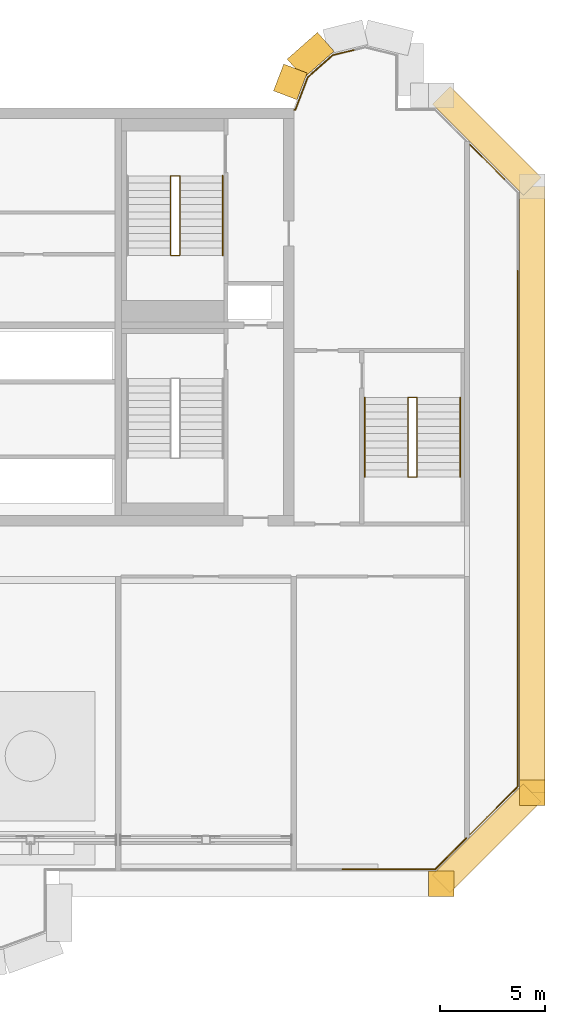
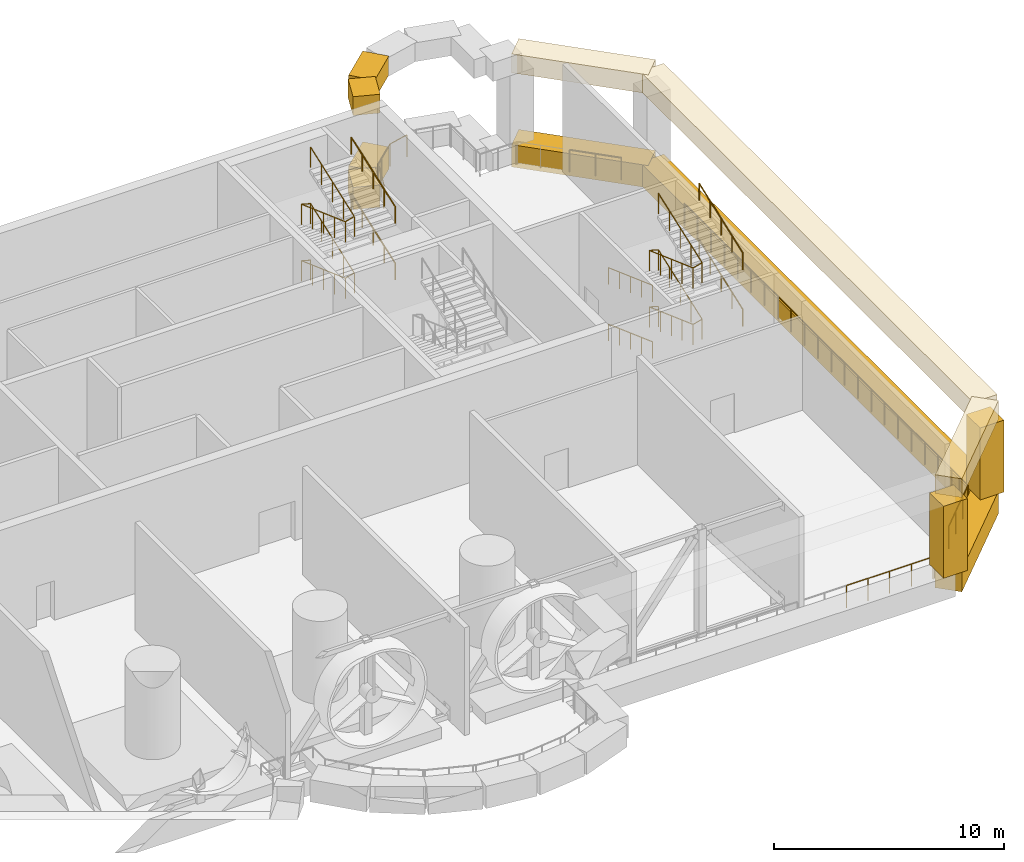
# One storey, part 12 of 15: 26 railings, 12 coverings.
"""IFC4 building model written with IfcOpenShell, lengths in metres."""

from ifc_helpers import new_model, si_unit, direction, frame, origin, origin_2d, place, context, subcontext, project, spatial, rectangle, circle, extrude, source, transform, mapped, material, type_object, element, save


model = new_model("IFC4")

# Units and contexts
model_context = context("Model", 3, precision=1e-05, world=origin(), true_north=direction((0.0, 1.0)))
body_context = subcontext(model_context, "Body", "Model", "MODEL_VIEW")
ifc_project = project(units=[si_unit("LENGTHUNIT", "METRE"), si_unit("AREAUNIT", "SQUARE_METRE"), si_unit("VOLUMEUNIT", "CUBIC_METRE"), si_unit("PLANEANGLEUNIT", "RADIAN"), si_unit("MASSUNIT", "GRAM", prefix="KILO")], contexts=[model_context])

# Site, building, storey
site_placement = place(None, origin())
site = spatial("IfcSite", under=ifc_project, at=site_placement, CompositionType="ELEMENT")
building_placement = place(site_placement, origin())
building = spatial("IfcBuilding", under=site, at=building_placement, Name="Vanashikhar Sky Hotel", CompositionType="ELEMENT")
storey_placement = place(building_placement, frame((0.0, 0.0, 317.699951171875)))
storey = spatial("IfcBuildingStorey", under=building, at=storey_placement, Name="L76", CompositionType="ELEMENT", Elevation=317.699951171875)

# Coverings
ifc_material_1 = material(Name="Concrete M60 dark", Category="concrete")
covering_type = type_object("IfcCoveringType", Name="Turbine slot portal frame", PredefinedType="CLADDING", material=ifc_material_1)
shared_shape_1 = source(origin(), body_context, "Body", "SweptSolid", [
    extrude(rectangle(XDim=6.154052734375, YDim=1.199951171875, at=origin_2d()), origin(), (0.0, 0.0, 1.0), 1.0),
])
for number, where, z_axis, x_axis, name in (
    (1, (84.82421875, 7.07568359375, 4.719970703125), (0.0, 0.0, 1.0), (0.707106781187, 0.707106781187, 0.0), "Portal frame head"),
    (2, (84.82421875, 40.42431640625, 4.719970703125), (0.0, 0.0, 1.0), (-0.707106781187, 0.707106781187, 0.0), "Portal frame head"),
):
    element("IfcCovering", number, at=place(storey_placement, frame(where, z_axis=z_axis, x_axis=x_axis)), inside=storey, type_object=covering_type, Name=name, PredefinedType="CLADDING", context=body_context, shape_type="MappedRepresentation", body=[
        mapped(shared_shape_1, transform((0.0, 0.0, 0.0), scale=1.0)),
    ])
shared_shape_2 = source(origin(), body_context, "Body", "SweptSolid", [
    extrude(rectangle(XDim=28.9970703125, YDim=1.199951171875, at=origin_2d()), origin(), (0.0, 0.0, 1.0), 1.0),
])
covering_1_placement = place(storey_placement, frame((87.0, 23.75, 4.719970703125), z_axis=(0.0, 0.0, 1.0), x_axis=(0.0, 1.0, 0.0)))
element("IfcCovering", 3, at=covering_1_placement, inside=storey, type_object=covering_type, Name="Portal frame head", PredefinedType="CLADDING", context=body_context, shape_type="MappedRepresentation", body=[
    mapped(shared_shape_2, transform((0.0, 0.0, 0.0), scale=1.0)),
])
shared_shape_3 = source(origin(), body_context, "Body", "SweptSolid", [
    extrude(rectangle(XDim=1.931640625, YDim=1.199951171875, at=origin_2d()), origin(), (0.0, 0.0, 1.0), 1.0),
])
covering_2_placement = place(storey_placement, frame((76.401611328125, 44.518310546875, 4.719970703125), z_axis=(0.0, 0.0, 1.0), x_axis=(-0.749741606437, -0.661730703214, 0.0)))
element("IfcCovering", 4, at=covering_2_placement, inside=storey, type_object=covering_type, Name="Portal frame head", PredefinedType="CLADDING", context=body_context, shape_type="MappedRepresentation", body=[
    mapped(shared_shape_3, transform((0.0, 0.0, 0.0), scale=1.0)),
])
shared_shape_4 = source(origin(), body_context, "Body", "SweptSolid", [
    extrude(rectangle(XDim=1.931640625, YDim=1.199951171875, at=origin_2d()), origin(), (0.0, 0.0, 1.0), 1.179931640625),
])
covering_3_placement = place(storey_placement, frame((76.401611328125, 44.518310546875, -0.27978515625), z_axis=(0.0, 0.0, 1.0), x_axis=(-0.749741606437, -0.661730703214, 0.0)))
element("IfcCovering", 5, at=covering_3_placement, inside=storey, type_object=covering_type, Name="Portal frame sill", PredefinedType="CLADDING", context=body_context, shape_type="MappedRepresentation", body=[
    mapped(shared_shape_4, transform((0.0, 0.0, 0.0), scale=1.0)),
])
shared_shape_5 = source(origin(), body_context, "Body", "SweptSolid", [
    extrude(rectangle(XDim=1.3701171875, YDim=1.199951171875, at=origin_2d()), origin(), (0.0, 0.0, 1.0), 1.0),
])
covering_4_placement = place(storey_placement, frame((75.432373046875, 43.239501953125, 4.719970703125), z_axis=(0.0, 0.0, 1.0), x_axis=(-0.357748696787, -0.933817899779, 0.0)))
element("IfcCovering", 6, at=covering_4_placement, inside=storey, type_object=covering_type, Name="Portal frame head", PredefinedType="CLADDING", context=body_context, shape_type="MappedRepresentation", body=[
    mapped(shared_shape_5, transform((0.0, 0.0, 0.0), scale=1.0)),
])
shared_shape_6 = source(origin(), body_context, "Body", "SweptSolid", [
    extrude(rectangle(XDim=1.3701171875, YDim=1.199951171875, at=origin_2d()), origin(), (0.0, 0.0, 1.0), 1.179931640625),
])
covering_5_placement = place(storey_placement, frame((75.432373046875, 43.239501953125, -0.27978515625), z_axis=(0.0, 0.0, 1.0), x_axis=(-0.357748696787, -0.933817899779, 0.0)))
element("IfcCovering", 7, at=covering_5_placement, inside=storey, type_object=covering_type, Name="Portal frame sill", PredefinedType="CLADDING", context=body_context, shape_type="MappedRepresentation", body=[
    mapped(shared_shape_6, transform((0.0, 0.0, 0.0), scale=1.0)),
])

# Railings
ifc_material_2 = material(Name="Stainless steel 316", Category="steel")
railing_type_1 = type_object("IfcRailingType", Name="Open edge guard 1200", PredefinedType="GUARDRAIL", material=ifc_material_2)
shared_shape_7 = source(origin(), body_context, "Body", "SweptSolid", [
    extrude(circle(Radius=0.02392578125, at=origin_2d()), frame((0.0, 0.0, 1.17578125), z_axis=(-1.0, 0.0, 0.0), x_axis=(0.0, -1.0, 0.0)), (0.0, 0.0, 1.0), 2.176513671875),
    extrude(circle(Radius=0.02099609375, at=origin_2d()), origin(), (0.0, 0.0, 1.0), 1.15185546875),
    extrude(circle(Radius=0.02099609375, at=origin_2d()), frame((-1.08837890625, 0.0, 0.0)), (0.0, 0.0, 1.0), 1.15185546875),
    extrude(circle(Radius=0.02099609375, at=origin_2d()), frame((-2.176513671875, 0.0, 0.0)), (0.0, 0.0, 1.0), 1.15185546875),
])
railing_1_placement = place(storey_placement, frame((82.27490234375, 5.60009765625, 0.0)))
element("IfcRailing", 8, at=railing_1_placement, inside=storey, type_object=railing_type_1, Name="Open edge guard", PredefinedType="GUARDRAIL", context=body_context, shape_type="MappedRepresentation", body=[
    mapped(shared_shape_7, transform((0.0, 0.0, 0.0), scale=1.0)),
])
shared_shape_8 = source(origin(), body_context, "Body", "SweptSolid", [
    extrude(circle(Radius=0.02392578125, at=origin_2d()), frame((0.0, 0.0, 1.17578125), z_axis=(-1.0, 0.0, 0.0), x_axis=(0.0, -1.0, 0.0)), (0.0, 0.0, 1.0), 2.1767578125),
    extrude(circle(Radius=0.02099609375, at=origin_2d()), origin(), (0.0, 0.0, 1.0), 1.15185546875),
    extrude(circle(Radius=0.02099609375, at=origin_2d()), frame((-1.08837890625, 0.0, 0.0)), (0.0, 0.0, 1.0), 1.15185546875),
    extrude(circle(Radius=0.02099609375, at=origin_2d()), frame((-2.1767578125, 0.0, 0.0)), (0.0, 0.0, 1.0), 1.15185546875),
])
railing_2_placement = place(storey_placement, frame((80.098388671875, 5.60009765625, 0.0)))
element("IfcRailing", 9, at=railing_2_placement, inside=storey, type_object=railing_type_1, Name="Open edge guard", PredefinedType="GUARDRAIL", context=body_context, shape_type="MappedRepresentation", body=[
    mapped(shared_shape_8, transform((0.0, 0.0, 0.0), scale=1.0)),
])
shared_shape_9 = source(origin(), body_context, "Body", "SweptSolid", [
    extrude(circle(Radius=0.02392578125, at=origin_2d()), frame((0.0, 0.0, 1.17578125), z_axis=(-0.707106781187, -0.707106781187, 0.0), x_axis=(0.707106781187, -0.707106781187, 0.0)), (0.0, 0.0, 1.0), 2.093017578125),
    extrude(circle(Radius=0.02392578125, at=origin_2d()), frame((-1.47998046875, -1.47998046875, 1.17578125), z_axis=(-1.0, 0.0, 0.0), x_axis=(0.0, -1.0, 0.0)), (0.0, 0.0, 1.0), 0.083740234375),
    extrude(circle(Radius=0.02099609375, at=origin_2d()), origin(), (0.0, 0.0, 1.0), 1.15185546875),
    extrude(circle(Radius=0.02099609375, at=origin_2d()), frame((-0.739990234375, -0.739990234375, 0.0)), (0.0, 0.0, 1.0), 1.15185546875),
    extrude(circle(Radius=0.02099609375, at=origin_2d()), frame((-1.47998046875, -1.47998046875, 0.0)), (0.0, 0.0, 1.0), 1.15185546875),
    extrude(circle(Radius=0.02099609375, at=origin_2d()), frame((-1.563720703125, -1.47998046875, 0.0)), (0.0, 0.0, 1.0), 1.15185546875),
])
railing_3_placement = place(storey_placement, frame((83.838623046875, 7.080078125, 0.0)))
element("IfcRailing", 10, at=railing_3_placement, inside=storey, type_object=railing_type_1, Name="Open edge guard", PredefinedType="GUARDRAIL", context=body_context, shape_type="MappedRepresentation", body=[
    mapped(shared_shape_9, transform((0.0, 0.0, 0.0), scale=1.0)),
])
shared_shape_10 = source(origin(), body_context, "Body", "SweptSolid", [
    extrude(circle(Radius=0.02392578125, at=origin_2d()), frame((0.0, 0.0, 1.17578125), z_axis=(0.707106781187, -0.707106781187, 0.0), x_axis=(0.707106781187, 0.707106781187, 0.0)), (0.0, 0.0, 1.0), 2.32421875),
    extrude(circle(Radius=0.02099609375, at=origin_2d()), origin(), (0.0, 0.0, 1.0), 1.15185546875),
    extrude(circle(Radius=0.02099609375, at=origin_2d()), frame((0.82177734375, -0.82177734375, 0.0)), (0.0, 0.0, 1.0), 1.15185546875),
    extrude(circle(Radius=0.02099609375, at=origin_2d()), frame((1.6435546875, -1.6435546875, 0.0)), (0.0, 0.0, 1.0), 1.15185546875),
])
railing_4_placement = place(storey_placement, frame((84.02001953125, 40.238525390625, 0.0)))
element("IfcRailing", 11, at=railing_4_placement, inside=storey, type_object=railing_type_1, Name="Open edge guard", PredefinedType="GUARDRAIL", context=body_context, shape_type="MappedRepresentation", body=[
    mapped(shared_shape_10, transform((0.0, 0.0, 0.0), scale=1.0)),
])
shared_shape_11 = source(origin(), body_context, "Body", "SweptSolid", [
    extrude(circle(Radius=0.02392578125, at=origin_2d()), frame((0.0, 0.0, 1.17578125), z_axis=(0.0, -1.0, 0.0), x_axis=(1.0, 0.0, 0.0)), (0.0, 0.0, 1.0), 2.324462890625),
    extrude(circle(Radius=0.02099609375, at=origin_2d()), origin(), (0.0, 0.0, 1.0), 1.15185546875),
    extrude(circle(Radius=0.02099609375, at=origin_2d()), frame((0.0, -1.162109375, 0.0)), (0.0, 0.0, 1.0), 1.15185546875),
    extrude(circle(Radius=0.02099609375, at=origin_2d()), frame((0.0, -2.324462890625, 0.0)), (0.0, 0.0, 1.0), 1.15185546875),
])
for number, where, name in (
    (12, (86.300048828125, 31.885498046875, 0.0), "Open edge guard"),
    (13, (86.300048828125, 29.56103515625, 0.0), "Open edge guard"),
    (14, (86.300048828125, 27.236572265625, 0.0), "Open edge guard"),
    (15, (86.300048828125, 22.587890625, 0.0), "Open edge guard"),
    (16, (86.300048828125, 20.263427734375, 0.0), "Open edge guard"),
    (17, (86.300048828125, 17.93896484375, 0.0), "Open edge guard"),
    (18, (86.300048828125, 13.290283203125, 0.0), "Open edge guard"),
):
    element("IfcRailing", number, at=place(storey_placement, frame(where)), inside=storey, type_object=railing_type_1, Name=name, PredefinedType="GUARDRAIL", context=body_context, shape_type="MappedRepresentation", body=[
        mapped(shared_shape_11, transform((0.0, 0.0, 0.0), scale=1.0)),
    ])
shared_shape_12 = source(origin(), body_context, "Body", "SweptSolid", [
    extrude(circle(Radius=0.02392578125, at=origin_2d()), frame((0.0, 0.0, 1.17578125), z_axis=(0.0, -1.0, 0.0), x_axis=(1.0, 0.0, 0.0)), (0.0, 0.0, 1.0), 2.32421875),
    extrude(circle(Radius=0.02099609375, at=origin_2d()), origin(), (0.0, 0.0, 1.0), 1.15185546875),
    extrude(circle(Radius=0.02099609375, at=origin_2d()), frame((0.0, -1.162109375, 0.0)), (0.0, 0.0, 1.0), 1.15185546875),
    extrude(circle(Radius=0.02099609375, at=origin_2d()), frame((0.0, -2.32421875, 0.0)), (0.0, 0.0, 1.0), 1.15185546875),
])
for number, where, name in (
    (19, (86.300048828125, 34.209716796875, 0.0), "Open edge guard"),
    (20, (86.300048828125, 24.912109375, 0.0), "Open edge guard"),
    (21, (86.300048828125, 15.614501953125, 0.0), "Open edge guard"),
):
    element("IfcRailing", number, at=place(storey_placement, frame(where)), inside=storey, type_object=railing_type_1, Name=name, PredefinedType="GUARDRAIL", context=body_context, shape_type="MappedRepresentation", body=[
        mapped(shared_shape_12, transform((0.0, 0.0, 0.0), scale=1.0)),
    ])
shared_shape_13 = source(origin(), body_context, "Body", "SweptSolid", [
    extrude(circle(Radius=0.02392578125, at=origin_2d()), frame((0.0, 0.0, 1.17578125), z_axis=(0.0, -1.0, 0.0), x_axis=(1.0, 0.0, 0.0)), (0.0, 0.0, 1.0), 1.42431640625),
    extrude(circle(Radius=0.02392578125, at=origin_2d()), frame((0.0, -1.42431640625, 1.17578125), z_axis=(-0.707106781187, -0.707106781187, 0.0), x_axis=(0.707106781187, -0.707106781187, 0.0)), (0.0, 0.0, 1.0), 0.900146484375),
    extrude(circle(Radius=0.02099609375, at=origin_2d()), origin(), (0.0, 0.0, 1.0), 1.15185546875),
    extrude(circle(Radius=0.02099609375, at=origin_2d()), frame((0.0, -0.712158203125, 0.0)), (0.0, 0.0, 1.0), 1.15185546875),
    extrude(circle(Radius=0.02099609375, at=origin_2d()), frame((0.0, -1.42431640625, 0.0)), (0.0, 0.0, 1.0), 1.15185546875),
    extrude(circle(Radius=0.02099609375, at=origin_2d()), frame((-0.636474609375, -2.060791015625, 0.0)), (0.0, 0.0, 1.0), 1.15185546875),
])
railing_5_placement = place(storey_placement, frame((86.300048828125, 10.9658203125, 0.0)))
element("IfcRailing", 22, at=railing_5_placement, inside=storey, type_object=railing_type_1, Name="Open edge guard", PredefinedType="GUARDRAIL", context=body_context, shape_type="MappedRepresentation", body=[
    mapped(shared_shape_13, transform((0.0, 0.0, 0.0), scale=1.0)),
])
shared_shape_14 = source(origin(), body_context, "Body", "SweptSolid", [
    extrude(circle(Radius=0.02392578125, at=origin_2d()), frame((0.0, 0.0, 1.17578125), z_axis=(-0.707106781187, -0.707106781187, 0.0), x_axis=(0.707106781187, -0.707106781187, 0.0)), (0.0, 0.0, 1.0), 2.32421875),
    extrude(circle(Radius=0.02099609375, at=origin_2d()), origin(), (0.0, 0.0, 1.0), 1.15185546875),
    extrude(circle(Radius=0.02099609375, at=origin_2d()), frame((-0.82177734375, -0.82177734375, 0.0)), (0.0, 0.0, 1.0), 1.15185546875),
    extrude(circle(Radius=0.02099609375, at=origin_2d()), frame((-1.6435546875, -1.6435546875, 0.0)), (0.0, 0.0, 1.0), 1.15185546875),
])
railing_6_placement = place(storey_placement, frame((85.66357421875, 8.905029296875, 0.0)))
element("IfcRailing", 23, at=railing_6_placement, inside=storey, type_object=railing_type_1, Name="Open edge guard", PredefinedType="GUARDRAIL", context=body_context, shape_type="MappedRepresentation", body=[
    mapped(shared_shape_14, transform((0.0, 0.0, 0.0), scale=1.0)),
])

# Coverings
shared_shape_15 = source(origin(), body_context, "Body", "SweptSolid", [
    extrude(rectangle(XDim=6.154052734375, YDim=1.199951171875, at=origin_2d()), origin(), (0.0, 0.0, 1.0), 1.179931640625),
])
for number, where, z_axis, x_axis, name in (
    (24, (84.82421875, 7.07568359375, -0.27978515625), (0.0, 0.0, 1.0), (0.707106781187, 0.707106781187, 0.0), "Portal frame sill"),
    (25, (84.82421875, 40.42431640625, -0.27978515625), (0.0, 0.0, 1.0), (-0.707106781187, 0.707106781187, 0.0), "Portal frame sill"),
):
    element("IfcCovering", number, at=place(storey_placement, frame(where, z_axis=z_axis, x_axis=x_axis)), inside=storey, type_object=covering_type, Name=name, PredefinedType="CLADDING", context=body_context, shape_type="MappedRepresentation", body=[
        mapped(shared_shape_15, transform((0.0, 0.0, 0.0), scale=1.0)),
    ])
shared_shape_16 = source(origin(), body_context, "Body", "SweptSolid", [
    extrude(rectangle(XDim=28.9970703125, YDim=1.199951171875, at=origin_2d()), origin(), (0.0, 0.0, 1.0), 1.179931640625),
])
covering_6_placement = place(storey_placement, frame((87.0, 23.75, -0.27978515625), z_axis=(0.0, 0.0, 1.0), x_axis=(0.0, 1.0, 0.0)))
element("IfcCovering", 26, at=covering_6_placement, inside=storey, type_object=covering_type, Name="Portal frame sill", PredefinedType="CLADDING", context=body_context, shape_type="MappedRepresentation", body=[
    mapped(shared_shape_16, transform((0.0, 0.0, 0.0), scale=1.0)),
])

# Railings
shared_shape_17 = source(origin(), body_context, "Body", "SweptSolid", [
    extrude(circle(Radius=0.02392578125, at=origin_2d()), frame((0.0, 0.0, 1.17578125), z_axis=(1.0, 0.0, 0.0), x_axis=(0.0, 1.0, 0.0)), (0.0, 0.0, 1.0), 0.048583984375),
    extrude(circle(Radius=0.02392578125, at=origin_2d()), frame((0.048583984375, 0.0, 1.17578125), z_axis=(0.357741668395, 0.933820592348, 0.0), x_axis=(-0.933820592348, 0.357741668395, 0.0)), (0.0, 0.0, 1.0), 1.679443359375),
    extrude(circle(Radius=0.02392578125, at=origin_2d()), frame((0.6494140625, 1.568359375, 1.17578125), z_axis=(0.749773591763, 0.66169446204, 0.0), x_axis=(-0.66169446204, 0.749773591763, 0.0)), (0.0, 0.0, 1.0), 0.443603515625),
    extrude(circle(Radius=0.02099609375, at=origin_2d()), origin(), (0.0, 0.0, 1.0), 1.15185546875),
    extrude(circle(Radius=0.02099609375, at=origin_2d()), frame((0.048583984375, 0.0, 0.0)), (0.0, 0.0, 1.0), 1.15185546875),
    extrude(circle(Radius=0.02099609375, at=origin_2d()), frame((0.34912109375, 0.7841796875, 0.0)), (0.0, 0.0, 1.0), 1.15185546875),
    extrude(circle(Radius=0.02099609375, at=origin_2d()), frame((0.6494140625, 1.568359375, 0.0)), (0.0, 0.0, 1.0), 1.15185546875),
    extrude(circle(Radius=0.02099609375, at=origin_2d()), frame((0.98193359375, 1.86181640625, 0.0)), (0.0, 0.0, 1.0), 1.15185546875),
])
railing_7_placement = place(storey_placement, frame((75.6201171875, 41.89990234375, 0.0)))
element("IfcRailing", 27, at=railing_7_placement, inside=storey, type_object=railing_type_1, Name="Open edge guard", PredefinedType="GUARDRAIL", context=body_context, shape_type="MappedRepresentation", body=[
    mapped(shared_shape_17, transform((0.0, 0.0, 0.0), scale=1.0)),
])
shared_shape_18 = source(origin(), body_context, "Body", "SweptSolid", [
    extrude(circle(Radius=0.02392578125, at=origin_2d()), frame((0.0, 0.0, 1.17578125), z_axis=(0.749700826639, 0.661776903902, 0.0), x_axis=(-0.661776903902, 0.749700826639, 0.0)), (0.0, 0.0, 1.0), 1.14404296875),
    extrude(circle(Radius=0.02392578125, at=origin_2d()), frame((0.857666015625, 0.757080078125, 1.17578125), z_axis=(0.971126765186, 0.238564049975, 0.0), x_axis=(-0.238564049975, 0.971126765186, 0.0)), (0.0, 0.0, 1.0), 1.027587890625),
    extrude(circle(Radius=0.02099609375, at=origin_2d()), origin(), (0.0, 0.0, 1.0), 1.15185546875),
    extrude(circle(Radius=0.02099609375, at=origin_2d()), frame((0.857666015625, 0.757080078125, 0.0)), (0.0, 0.0, 1.0), 1.15185546875),
    extrude(circle(Radius=0.02099609375, at=origin_2d()), frame((1.85546875, 1.002197265625, 0.0)), (0.0, 0.0, 1.0), 1.15185546875),
])
railing_8_placement = place(storey_placement, frame((76.60205078125, 43.76171875, 0.0)))
element("IfcRailing", 28, at=railing_8_placement, inside=storey, type_object=railing_type_1, Name="Open edge guard", PredefinedType="GUARDRAIL", context=body_context, shape_type="MappedRepresentation", body=[
    mapped(shared_shape_18, transform((0.0, 0.0, 0.0), scale=1.0)),
])

# Coverings
shared_shape_19 = source(origin(), body_context, "Body", "SweptSolid", [
    extrude(rectangle(XDim=1.199951171875, YDim=1.199951171875, at=origin_2d()), origin(), (0.0, 0.0, 1.0), 3.820068359375),
])
for number, where, z_axis, x_axis, name in (
    (29, (82.6484375, 4.89990234375, 0.89990234375), (0.0, 0.0, 1.0), (1.0, 0.0, 0.0), "Portal frame jamb"),
    (30, (87.0, 9.25146484375, 0.89990234375), (0.0, 0.0, 1.0), (1.0, 0.0, 0.0), "Portal frame jamb"),
):
    element("IfcCovering", number, at=place(storey_placement, frame(where, z_axis=z_axis, x_axis=x_axis)), inside=storey, type_object=covering_type, Name=name, PredefinedType="CLADDING", context=body_context, shape_type="MappedRepresentation", body=[
        mapped(shared_shape_19, transform((0.0, 0.0, 0.0), scale=1.0)),
    ])

# Railings
ifc_material_3 = material(Name="Steel S355", Category="steel")
railing_type_2 = type_object("IfcRailingType", Name="Stair handrail 900", PredefinedType="HANDRAIL", material=ifc_material_3)
shared_shape_20 = source(origin(), body_context, "Body", "SweptSolid", [
    extrude(circle(Radius=0.02392578125, at=origin_2d()), frame((0.0, 0.0, 0.8759765625), z_axis=(0.0, 0.940335516113, 0.340248610777), x_axis=(-1.0, 0.0, 0.0)), (0.0, 0.0, 1.0), 4.041259765625),
    extrude(circle(Radius=0.02099609375, at=origin_2d()), origin(), (0.0, 0.0, 1.0), 0.851806640625),
    extrude(circle(Radius=0.02099609375, at=origin_2d()), frame((0.0, 0.949951171875, 0.34375)), (0.0, 0.0, 1.0), 0.851806640625),
    extrude(circle(Radius=0.02099609375, at=origin_2d()), frame((0.0, 1.89990234375, 0.6875)), (0.0, 0.0, 1.0), 0.851806640625),
    extrude(circle(Radius=0.02099609375, at=origin_2d()), frame((0.0, 2.85009765625, 1.03125)), (0.0, 0.0, 1.0), 0.851806640625),
    extrude(circle(Radius=0.02099609375, at=origin_2d()), frame((0.0, 3.800048828125, 1.375)), (0.0, 0.0, 1.0), 0.851806640625),
])
for number, where, name in (
    (31, (72.199951171875, 34.949951171875, 1.625), "Exit stair 6 handrail"),
    (32, (72.199951171875, 34.949951171875, 4.625), "Exit stair 6 handrail"),
):
    element("IfcRailing", number, at=place(storey_placement, frame(where)), inside=storey, type_object=railing_type_2, Name=name, PredefinedType="HANDRAIL", context=body_context, shape_type="MappedRepresentation", body=[
        mapped(shared_shape_20, transform((0.0, 0.0, 0.0), scale=1.0)),
    ])
railing_type_3 = type_object("IfcRailingType", Name="Stair guard 1100", PredefinedType="GUARDRAIL", material=ifc_material_3)
shared_shape_21 = source(origin(), body_context, "Body", "SweptSolid", [
    extrude(circle(Radius=0.02392578125, at=origin_2d()), frame((0.0, 0.0, 1.076171875), z_axis=(-0.963510419359, 0.0, 0.267670827299), x_axis=(0.0, -1.0, 0.0)), (0.0, 0.0, 1.0), 0.467041015625),
    extrude(circle(Radius=0.02392578125, at=origin_2d()), frame((-0.449951171875, 0.0, 1.201171875), z_axis=(0.0, -0.940335516113, 0.340248610777), x_axis=(1.0, 0.0, 0.0)), (0.0, 0.0, 1.0), 4.041259765625),
    extrude(circle(Radius=0.02392578125, at=origin_2d()), frame((-0.449951171875, -3.800048828125, 2.576171875), z_axis=(0.963510419359, 0.0, 0.267670827299), x_axis=(0.0, 1.0, 0.0)), (0.0, 0.0, 1.0), 0.467041015625),
    extrude(circle(Radius=0.02392578125, at=origin_2d()), frame((0.0, -3.800048828125, 2.701171875), z_axis=(0.0, 0.940335516113, 0.340248610777), x_axis=(-1.0, 0.0, 0.0)), (0.0, 0.0, 1.0), 4.041259765625),
    extrude(circle(Radius=0.02392578125, at=origin_2d()), frame((0.0, 0.0, 4.076171875), z_axis=(-0.963510419359, 0.0, 0.267670827299), x_axis=(0.0, -1.0, 0.0)), (0.0, 0.0, 1.0), 0.467041015625),
    extrude(circle(Radius=0.02392578125, at=origin_2d()), frame((-0.449951171875, 0.0, 4.201171875), z_axis=(0.0, -0.940335516113, 0.340248610777), x_axis=(1.0, 0.0, 0.0)), (0.0, 0.0, 1.0), 4.041259765625),
    extrude(circle(Radius=0.02392578125, at=origin_2d()), frame((-0.449951171875, -3.800048828125, 5.576171875), z_axis=(0.963510419359, 0.0, 0.267670827299), x_axis=(0.0, 1.0, 0.0)), (0.0, 0.0, 1.0), 0.467041015625),
    extrude(circle(Radius=0.02392578125, at=origin_2d()), frame((0.0, -3.800048828125, 5.701171875), z_axis=(0.0, 0.940335516113, 0.340248610777), x_axis=(-1.0, 0.0, 0.0)), (0.0, 0.0, 1.0), 4.041259765625),
    extrude(circle(Radius=0.02099609375, at=origin_2d()), origin(), (0.0, 0.0, 1.0), 1.052001953125),
    extrude(circle(Radius=0.02099609375, at=origin_2d()), frame((-0.449951171875, 0.0, 0.125)), (0.0, 0.0, 1.0), 1.052001953125),
    extrude(circle(Radius=0.02099609375, at=origin_2d()), frame((-0.449951171875, -0.949951171875, 0.46875)), (0.0, 0.0, 1.0), 1.052001953125),
    extrude(circle(Radius=0.02099609375, at=origin_2d()), frame((-0.449951171875, -1.89990234375, 0.8125)), (0.0, 0.0, 1.0), 1.052001953125),
    extrude(circle(Radius=0.02099609375, at=origin_2d()), frame((-0.449951171875, -2.85009765625, 1.15625)), (0.0, 0.0, 1.0), 1.052001953125),
    extrude(circle(Radius=0.02099609375, at=origin_2d()), frame((-0.449951171875, -3.800048828125, 1.5)), (0.0, 0.0, 1.0), 1.052001953125),
    extrude(circle(Radius=0.02099609375, at=origin_2d()), frame((0.0, -3.800048828125, 1.625)), (0.0, 0.0, 1.0), 1.052001953125),
    extrude(circle(Radius=0.02099609375, at=origin_2d()), frame((0.0, -2.85009765625, 1.96875)), (0.0, 0.0, 1.0), 1.052001953125),
    extrude(circle(Radius=0.02099609375, at=origin_2d()), frame((0.0, -1.89990234375, 2.3125)), (0.0, 0.0, 1.0), 1.052001953125),
    extrude(circle(Radius=0.02099609375, at=origin_2d()), frame((0.0, -0.949951171875, 2.65625)), (0.0, 0.0, 1.0), 1.052001953125),
    extrude(circle(Radius=0.02099609375, at=origin_2d()), frame((0.0, 0.0, 3.0)), (0.0, 0.0, 1.0), 1.052001953125),
    extrude(circle(Radius=0.02099609375, at=origin_2d()), frame((-0.449951171875, 0.0, 3.125)), (0.0, 0.0, 1.0), 1.052001953125),
    extrude(circle(Radius=0.02099609375, at=origin_2d()), frame((-0.449951171875, -0.949951171875, 3.46875)), (0.0, 0.0, 1.0), 1.052001953125),
    extrude(circle(Radius=0.02099609375, at=origin_2d()), frame((-0.449951171875, -1.89990234375, 3.8125)), (0.0, 0.0, 1.0), 1.052001953125),
    extrude(circle(Radius=0.02099609375, at=origin_2d()), frame((-0.449951171875, -2.85009765625, 4.15625)), (0.0, 0.0, 1.0), 1.052001953125),
    extrude(circle(Radius=0.02099609375, at=origin_2d()), frame((-0.449951171875, -3.800048828125, 4.5)), (0.0, 0.0, 1.0), 1.052001953125),
    extrude(circle(Radius=0.02099609375, at=origin_2d()), frame((0.0, -3.800048828125, 4.625)), (0.0, 0.0, 1.0), 1.052001953125),
    extrude(circle(Radius=0.02099609375, at=origin_2d()), frame((0.0, -2.85009765625, 4.96875)), (0.0, 0.0, 1.0), 1.052001953125),
    extrude(circle(Radius=0.02099609375, at=origin_2d()), frame((0.0, -1.89990234375, 5.3125)), (0.0, 0.0, 1.0), 1.052001953125),
    extrude(circle(Radius=0.02099609375, at=origin_2d()), frame((0.0, -0.949951171875, 5.65625)), (0.0, 0.0, 1.0), 1.052001953125),
    extrude(circle(Radius=0.02099609375, at=origin_2d()), frame((0.0, 0.0, 6.0)), (0.0, 0.0, 1.0), 1.052001953125),
])
railing_9_placement = place(storey_placement, frame((70.14990234375, 38.75, 0.0)))
element("IfcRailing", 33, at=railing_9_placement, inside=storey, type_object=railing_type_3, Name="Exit stair 6 guard", PredefinedType="GUARDRAIL", context=body_context, shape_type="MappedRepresentation", body=[
    mapped(shared_shape_21, transform((0.0, 0.0, 0.0), scale=1.0)),
])
shared_shape_22 = source(origin(), body_context, "Body", "SweptSolid", [
    extrude(circle(Radius=0.02392578125, at=origin_2d()), frame((0.0, 0.0, 0.8759765625), z_axis=(0.0, 0.940328521504, 0.340267940961), x_axis=(-1.0, 0.0, 0.0)), (0.0, 0.0, 1.0), 4.041015625),
    extrude(circle(Radius=0.02099609375, at=origin_2d()), origin(), (0.0, 0.0, 1.0), 0.851806640625),
    extrude(circle(Radius=0.02099609375, at=origin_2d()), frame((0.0, 0.949951171875, 0.34375)), (0.0, 0.0, 1.0), 0.851806640625),
    extrude(circle(Radius=0.02099609375, at=origin_2d()), frame((0.0, 1.89990234375, 0.6875)), (0.0, 0.0, 1.0), 0.851806640625),
    extrude(circle(Radius=0.02099609375, at=origin_2d()), frame((0.0, 2.849853515625, 1.03125)), (0.0, 0.0, 1.0), 0.851806640625),
    extrude(circle(Radius=0.02099609375, at=origin_2d()), frame((0.0, 3.7998046875, 1.375)), (0.0, 0.0, 1.0), 0.851806640625),
])
for number, where, name in (
    (34, (83.550048828125, 24.35009765625, 1.625), "Exit stair 4 handrail"),
    (35, (83.550048828125, 24.35009765625, 4.625), "Exit stair 4 handrail"),
):
    element("IfcRailing", number, at=place(storey_placement, frame(where)), inside=storey, type_object=railing_type_2, Name=name, PredefinedType="HANDRAIL", context=body_context, shape_type="MappedRepresentation", body=[
        mapped(shared_shape_22, transform((0.0, 0.0, 0.0), scale=1.0)),
    ])
shared_shape_23 = source(origin(), body_context, "Body", "SweptSolid", [
    extrude(circle(Radius=0.02392578125, at=origin_2d()), frame((0.0, 0.0, 0.8759765625), z_axis=(0.0, -0.940328521504, 0.340267940961), x_axis=(1.0, 0.0, 0.0)), (0.0, 0.0, 1.0), 4.041015625),
    extrude(circle(Radius=0.02099609375, at=origin_2d()), origin(), (0.0, 0.0, 1.0), 0.851806640625),
    extrude(circle(Radius=0.02099609375, at=origin_2d()), frame((0.0, -0.949951171875, 0.34375)), (0.0, 0.0, 1.0), 0.851806640625),
    extrude(circle(Radius=0.02099609375, at=origin_2d()), frame((0.0, -1.89990234375, 0.6875)), (0.0, 0.0, 1.0), 0.851806640625),
    extrude(circle(Radius=0.02099609375, at=origin_2d()), frame((0.0, -2.849853515625, 1.03125)), (0.0, 0.0, 1.0), 0.851806640625),
    extrude(circle(Radius=0.02099609375, at=origin_2d()), frame((0.0, -3.7998046875, 1.375)), (0.0, 0.0, 1.0), 0.851806640625),
])
for number, where, name in (
    (36, (79.0, 28.14990234375, 0.125), "Exit stair 4 handrail"),
    (37, (79.0, 28.14990234375, 3.125), "Exit stair 4 handrail"),
):
    element("IfcRailing", number, at=place(storey_placement, frame(where)), inside=storey, type_object=railing_type_2, Name=name, PredefinedType="HANDRAIL", context=body_context, shape_type="MappedRepresentation", body=[
        mapped(shared_shape_23, transform((0.0, 0.0, 0.0), scale=1.0)),
    ])
shared_shape_24 = source(origin(), body_context, "Body", "SweptSolid", [
    extrude(circle(Radius=0.02392578125, at=origin_2d()), frame((0.0, 0.0, 1.076171875), z_axis=(-0.963510419359, 0.0, 0.267670827299), x_axis=(0.0, -1.0, 0.0)), (0.0, 0.0, 1.0), 0.467041015625),
    extrude(circle(Radius=0.02392578125, at=origin_2d()), frame((-0.449951171875, 0.0, 1.201171875), z_axis=(0.0, -0.940328521504, 0.340267940961), x_axis=(1.0, 0.0, 0.0)), (0.0, 0.0, 1.0), 4.041015625),
    extrude(circle(Radius=0.02392578125, at=origin_2d()), frame((-0.449951171875, -3.7998046875, 2.576171875), z_axis=(0.963510419359, 0.0, 0.267670827299), x_axis=(0.0, 1.0, 0.0)), (0.0, 0.0, 1.0), 0.467041015625),
    extrude(circle(Radius=0.02392578125, at=origin_2d()), frame((0.0, -3.7998046875, 2.701171875), z_axis=(0.0, 0.940328521504, 0.340267940961), x_axis=(-1.0, 0.0, 0.0)), (0.0, 0.0, 1.0), 4.041015625),
    extrude(circle(Radius=0.02392578125, at=origin_2d()), frame((0.0, 0.0, 4.076171875), z_axis=(-0.963510419359, 0.0, 0.267670827299), x_axis=(0.0, -1.0, 0.0)), (0.0, 0.0, 1.0), 0.467041015625),
    extrude(circle(Radius=0.02392578125, at=origin_2d()), frame((-0.449951171875, 0.0, 4.201171875), z_axis=(0.0, -0.940328521504, 0.340267940961), x_axis=(1.0, 0.0, 0.0)), (0.0, 0.0, 1.0), 4.041015625),
    extrude(circle(Radius=0.02392578125, at=origin_2d()), frame((-0.449951171875, -3.7998046875, 5.576171875), z_axis=(0.963510419359, 0.0, 0.267670827299), x_axis=(0.0, 1.0, 0.0)), (0.0, 0.0, 1.0), 0.467041015625),
    extrude(circle(Radius=0.02392578125, at=origin_2d()), frame((0.0, -3.7998046875, 5.701171875), z_axis=(0.0, 0.940328521504, 0.340267940961), x_axis=(-1.0, 0.0, 0.0)), (0.0, 0.0, 1.0), 4.041015625),
    extrude(circle(Radius=0.02099609375, at=origin_2d()), origin(), (0.0, 0.0, 1.0), 1.052001953125),
    extrude(circle(Radius=0.02099609375, at=origin_2d()), frame((-0.449951171875, 0.0, 0.125)), (0.0, 0.0, 1.0), 1.052001953125),
    extrude(circle(Radius=0.02099609375, at=origin_2d()), frame((-0.449951171875, -0.949951171875, 0.46875)), (0.0, 0.0, 1.0), 1.052001953125),
    extrude(circle(Radius=0.02099609375, at=origin_2d()), frame((-0.449951171875, -1.89990234375, 0.8125)), (0.0, 0.0, 1.0), 1.052001953125),
    extrude(circle(Radius=0.02099609375, at=origin_2d()), frame((-0.449951171875, -2.849853515625, 1.15625)), (0.0, 0.0, 1.0), 1.052001953125),
    extrude(circle(Radius=0.02099609375, at=origin_2d()), frame((-0.449951171875, -3.7998046875, 1.5)), (0.0, 0.0, 1.0), 1.052001953125),
    extrude(circle(Radius=0.02099609375, at=origin_2d()), frame((0.0, -3.7998046875, 1.625)), (0.0, 0.0, 1.0), 1.052001953125),
    extrude(circle(Radius=0.02099609375, at=origin_2d()), frame((0.0, -2.849853515625, 1.96875)), (0.0, 0.0, 1.0), 1.052001953125),
    extrude(circle(Radius=0.02099609375, at=origin_2d()), frame((0.0, -1.89990234375, 2.3125)), (0.0, 0.0, 1.0), 1.052001953125),
    extrude(circle(Radius=0.02099609375, at=origin_2d()), frame((0.0, -0.949951171875, 2.65625)), (0.0, 0.0, 1.0), 1.052001953125),
    extrude(circle(Radius=0.02099609375, at=origin_2d()), frame((0.0, 0.0, 3.0)), (0.0, 0.0, 1.0), 1.052001953125),
    extrude(circle(Radius=0.02099609375, at=origin_2d()), frame((-0.449951171875, 0.0, 3.125)), (0.0, 0.0, 1.0), 1.052001953125),
    extrude(circle(Radius=0.02099609375, at=origin_2d()), frame((-0.449951171875, -0.949951171875, 3.46875)), (0.0, 0.0, 1.0), 1.052001953125),
    extrude(circle(Radius=0.02099609375, at=origin_2d()), frame((-0.449951171875, -1.89990234375, 3.8125)), (0.0, 0.0, 1.0), 1.052001953125),
    extrude(circle(Radius=0.02099609375, at=origin_2d()), frame((-0.449951171875, -2.849853515625, 4.15625)), (0.0, 0.0, 1.0), 1.052001953125),
    extrude(circle(Radius=0.02099609375, at=origin_2d()), frame((-0.449951171875, -3.7998046875, 4.5)), (0.0, 0.0, 1.0), 1.052001953125),
    extrude(circle(Radius=0.02099609375, at=origin_2d()), frame((0.0, -3.7998046875, 4.625)), (0.0, 0.0, 1.0), 1.052001953125),
    extrude(circle(Radius=0.02099609375, at=origin_2d()), frame((0.0, -2.849853515625, 4.96875)), (0.0, 0.0, 1.0), 1.052001953125),
    extrude(circle(Radius=0.02099609375, at=origin_2d()), frame((0.0, -1.89990234375, 5.3125)), (0.0, 0.0, 1.0), 1.052001953125),
    extrude(circle(Radius=0.02099609375, at=origin_2d()), frame((0.0, -0.949951171875, 5.65625)), (0.0, 0.0, 1.0), 1.052001953125),
    extrude(circle(Radius=0.02099609375, at=origin_2d()), frame((0.0, 0.0, 6.0)), (0.0, 0.0, 1.0), 1.052001953125),
])
railing_10_placement = place(storey_placement, frame((81.5, 28.14990234375, 0.0)))
element("IfcRailing", 38, at=railing_10_placement, inside=storey, type_object=railing_type_3, Name="Exit stair 4 guard", PredefinedType="GUARDRAIL", context=body_context, shape_type="MappedRepresentation", body=[
    mapped(shared_shape_24, transform((0.0, 0.0, 0.0), scale=1.0)),
])

save(model, "model.ifc")
